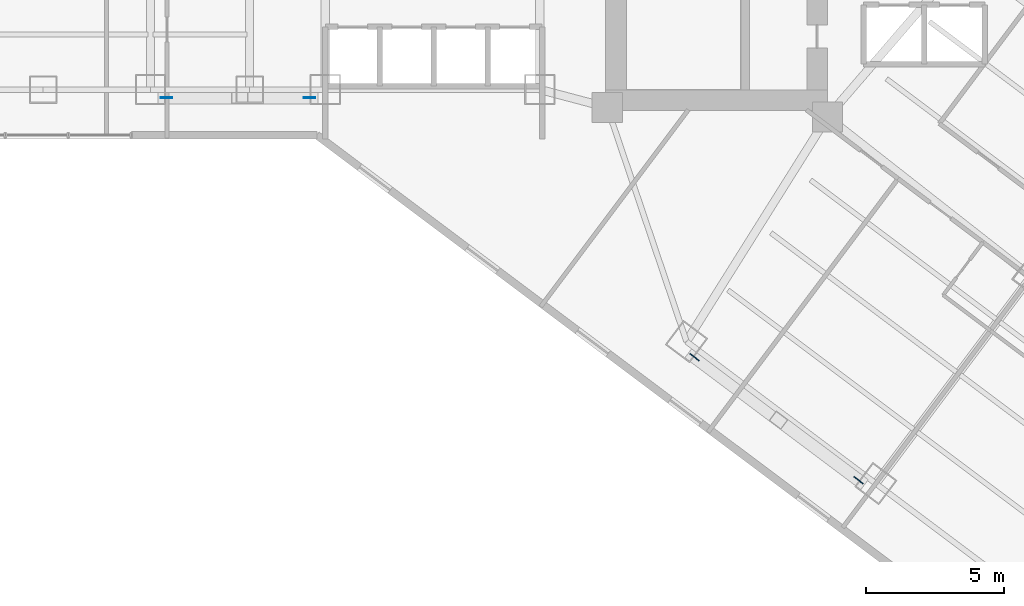
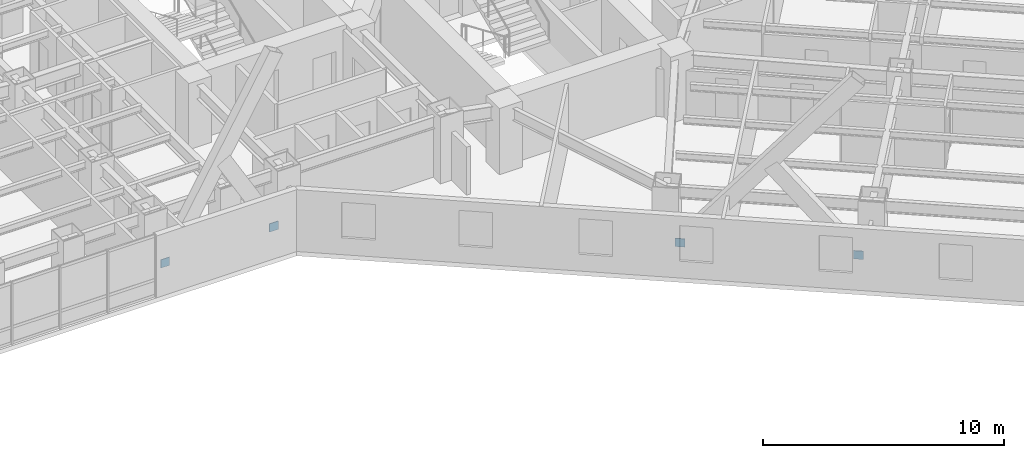
# One storey, part 22 of 33: 4 plates.
"""IFC4 building model written with IfcOpenShell, lengths in metres."""

from ifc_helpers import new_model, si_unit, direction, frame, origin, origin_2d, place, context, subcontext, project, spatial, rectangle, extrude, material, layer, layer_set, type_object, element, save


model = new_model("IFC4")

# Units and contexts
model_context = context("Model", 3, precision=1e-05, world=origin(), true_north=direction((0.0, 1.0)))
body_context = subcontext(model_context, "Body", "Model", "MODEL_VIEW")
ifc_project = project(units=[si_unit("LENGTHUNIT", "METRE"), si_unit("AREAUNIT", "SQUARE_METRE"), si_unit("VOLUMEUNIT", "CUBIC_METRE"), si_unit("PLANEANGLEUNIT", "RADIAN"), si_unit("MASSUNIT", "GRAM", prefix="KILO")], contexts=[model_context])

# Site, building, storey
site_placement = place(None, origin())
site = spatial("IfcSite", under=ifc_project, at=site_placement, CompositionType="ELEMENT")
building_placement = place(site_placement, origin())
building = spatial("IfcBuilding", under=site, at=building_placement, Name="Hatsunagi Terrace Concourse", CompositionType="ELEMENT")
storey_placement = place(building_placement, frame((0.0, 0.0, 53.35009765625)))
storey = spatial("IfcBuildingStorey", under=building, at=storey_placement, Name="L13", CompositionType="ELEMENT", Elevation=53.35009765625)

# Plates
ifc_material = material(Name="Steel SN490C", Category="steel")
ifc_layer = layer(ifc_material, 0.031982421875)
ifc_layer_set = layer_set([ifc_layer], Name="XBraceNodeCapPlate_32")
plate_type = type_object("IfcPlateType", Name="XBraceNodeCapPlate_32", PredefinedType="USERDEFINED", material=ifc_layer_set)
for number, where, z_axis, x_axis, name in (
    (1, (19.77490234375, 24.89990234375, 0.22998046875), (0.0, 0.0, 1.0), (1.0, 0.0, 0.0), "Cast-In Core and Node Embed Plate GP-02 EP-XB-L13-W1-AB"),
    (2, (24.97509765625, 24.89990234375, 0.22998046875), (0.0, 0.0, 1.0), (1.0, 0.0, 0.0), "Cast-In Core and Node Embed Plate GP-02 EP-XB-L13-W1-BB"),
    (3, (38.971923828125, 15.470947265625, 0.22998046875), (0.0, 0.0, 1.0), (0.799999996291, -0.600000004945, 0.0), "Cast-In Core and Node Embed Plate GP-02 EP-XB-L13-SE-AB"),
    (4, (44.931884765625, 11.0009765625, 0.22998046875), (0.0, 0.0, 1.0), (0.799999996291, -0.600000004945, 0.0), "Cast-In Core and Node Embed Plate GP-02 EP-XB-L13-SE-BB"),
):
    element("IfcPlate", number, at=place(storey_placement, frame(where, z_axis=z_axis, x_axis=x_axis)), inside=storey, type_object=plate_type, Name=name, ObjectType="GUSSET_PLATE", PredefinedType="USERDEFINED", context=body_context, shape_type="SweptSolid", body=[
        extrude(rectangle(XDim=0.419921875, YDim=0.031982421875, at=origin_2d()), origin(), (0.0, 0.0, 1.0), 0.419921875),
    ])

save(model, "model.ifc")
